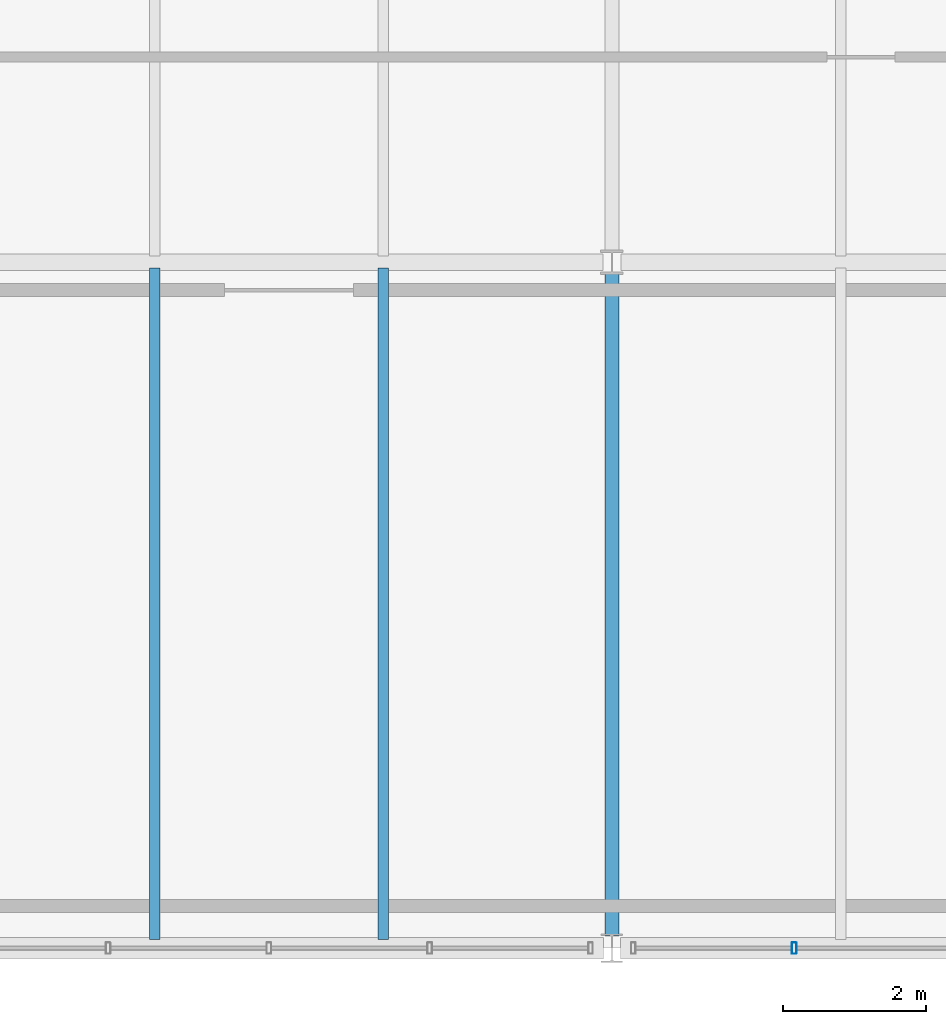
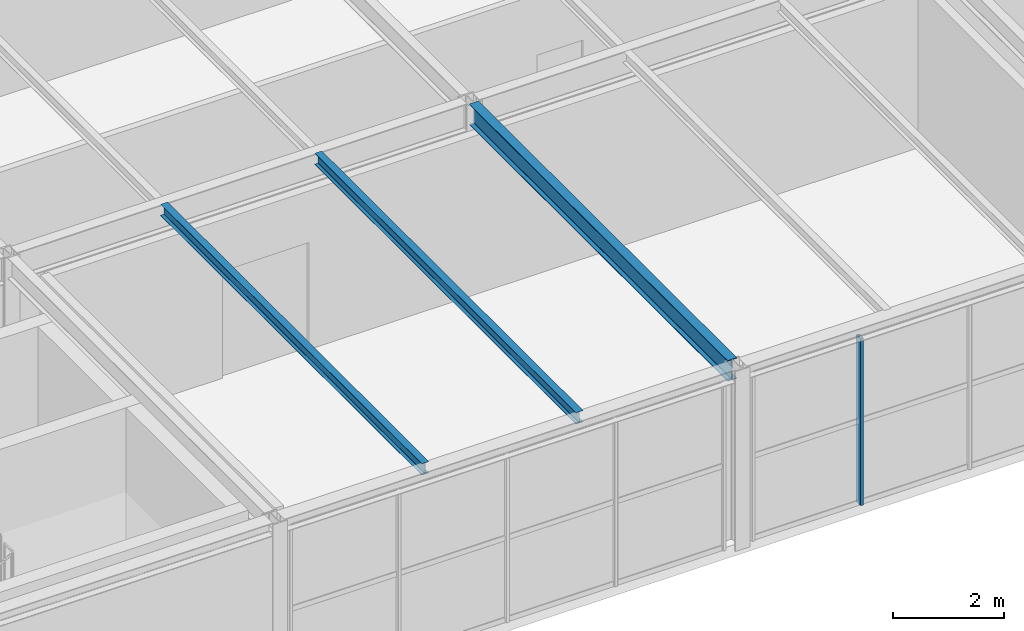
# One storey, part 24 of 126: 3 beams, 1 member, 1 element without a shape of its own.
"""IFC4 building model written with IfcOpenShell, lengths in metres."""

from ifc_helpers import new_model, si_unit, direction, frame, origin, origin_2d, place, context, subcontext, project, spatial, hollow_rectangle, i_section, extrude, material, material_profile, profile_set, type_object, element, aggregate, save


model = new_model("IFC4")

# Units and contexts
model_context = context("Model", 3, precision=1e-05, world=origin(), true_north=direction((0.0, 1.0)))
body_context = subcontext(model_context, "Body", "Model", "MODEL_VIEW")
ifc_project = project(units=[si_unit("LENGTHUNIT", "METRE"), si_unit("AREAUNIT", "SQUARE_METRE"), si_unit("VOLUMEUNIT", "CUBIC_METRE"), si_unit("PLANEANGLEUNIT", "RADIAN"), si_unit("MASSUNIT", "GRAM", prefix="KILO")], contexts=[model_context])

# Site, building, storey
site_placement = place(None, origin())
site = spatial("IfcSite", under=ifc_project, at=site_placement, CompositionType="ELEMENT")
building_placement = place(site_placement, origin())
building = spatial("IfcBuilding", under=site, at=building_placement, Name="Coralgate Yard Interchange", CompositionType="ELEMENT")
storey_placement = place(building_placement, frame((0.0, 0.0, 10.5)))
storey = spatial("IfcBuildingStorey", under=building, at=storey_placement, Name="L02", CompositionType="ELEMENT", Elevation=10.5)

# Beams
ifc_material_1 = material(Name="Structural steel S355J2", Category="steel")
ifc_material_profile_1 = material_profile(ifc_material_1, i_section(OverallWidth=0.1904296875, OverallDepth=0.45703125, WebThickness=0.009033203125, FlangeThickness=0.014404296875, FilletRadius=0.01025390625, at=origin_2d()), Name="UB 457x191x74")
ifc_profile_set_1 = profile_set([ifc_material_profile_1], Name="Structural steel S355J2")
beam_type_1 = type_object("IfcBeamType", Name="BM-SB-2", PredefinedType="BEAM", material=ifc_profile_set_1)
beam_placement = place(storey_placement, frame((38.39990234375, 0.169921875, 3.721435546875), z_axis=(0.0, 1.0, 0.0), x_axis=(-1.0, 0.0, 0.0)))
element("IfcBeam", 1, at=beam_placement, inside=storey, type_object=beam_type_1, Name="L02 primary grid girder X4 Y0-1", PredefinedType="BEAM", context=body_context, shape_type="SweptSolid", body=[
    extrude(i_section(OverallWidth=0.1904296875, OverallDepth=0.45703125, WebThickness=0.009033203125, FlangeThickness=0.014404296875, FilletRadius=0.01025390625, at=origin_2d()), origin(), (0.0, 0.0, 1.0), 9.2900390625),
])
ifc_material_profile_2 = material_profile(ifc_material_1, i_section(OverallWidth=0.14599609375, OverallDepth=0.25146484375, WebThickness=0.006103515625, FlangeThickness=0.008544921875, FilletRadius=0.007568359375, at=origin_2d()), Name="UB 254x146x31")
ifc_profile_set_2 = profile_set([ifc_material_profile_2], Name="Structural steel S355J2")
beam_type_2 = type_object("IfcBeamType", Name="BM-SJ-2", PredefinedType="JOIST", material=ifc_profile_set_2)
for number, where, z_axis, x_axis, name in (
    (2, (32.0, 0.1201171875, 3.82421875), (0.0, 1.0, 0.0), (-1.0, 0.0, 0.0), "L02 composite floor joist 3-0-1"),
    (3, (35.199951171875, 0.1201171875, 3.82421875), (0.0, 1.0, 0.0), (-1.0, 0.0, 0.0), "L02 composite floor joist 3-0-2"),
):
    element("IfcBeam", number, at=place(storey_placement, frame(where, z_axis=z_axis, x_axis=x_axis)), inside=storey, type_object=beam_type_2, Name=name, PredefinedType="JOIST", context=body_context, shape_type="SweptSolid", body=[
        extrude(i_section(OverallWidth=0.14599609375, OverallDepth=0.25146484375, WebThickness=0.006103515625, FlangeThickness=0.008544921875, FilletRadius=0.007568359375, at=origin_2d()), origin(), (0.0, 0.0, 1.0), 9.395751953125),
    ])

# Curtain wall, member
ifc_material_2 = material(Name="Anodised coastal aluminium and solar-control low-E glass", Category="aluminium")
curtain_wall_type = type_object("IfcCurtainWallType", Name="CW-CW-L02-A", PredefinedType="NOTDEFINED", material=ifc_material_2)
curtain_wall_placement = place(storey_placement, origin())
curtain_wall = element("IfcCurtainWall", 4, at=curtain_wall_placement, inside=storey, type_object=curtain_wall_type, Name="L02 unitised curtain wall CW-L02-S-04-00", PredefinedType="NOTDEFINED")
ifc_material_3 = material(Name="Anodised coastal aluminium 6063-T6", Category="aluminium")
ifc_material_profile_3 = material_profile(ifc_material_3, hollow_rectangle(XDim=0.06494140625, YDim=0.159912109375, WallThickness=0.00390625, InnerFilletRadius=0.00390625, OuterFilletRadius=0.008056640625, at=origin_2d()), Name="ALU 65x160x4")
ifc_profile_set_3 = profile_set([ifc_material_profile_3], Name="Anodised coastal aluminium 6063-T6")
member_type = type_object("IfcMemberType", Name="MB-MUL-160", PredefinedType="MULLION", material=ifc_profile_set_3)
member_placement = place(storey_placement, frame((40.949951171875, 0.0, 0.0), z_axis=(0.0, 0.0, 1.0), x_axis=(1.0, 0.0, 0.0)))
member = element("IfcMember", 5, at=member_placement, type_object=member_type, Name="CW-L02-S-04-00 vertical mullion 4", PredefinedType="MULLION", context=body_context, shape_type="SweptSolid", body=[
    extrude(hollow_rectangle(XDim=0.06494140625, YDim=0.159912109375, WallThickness=0.00390625, InnerFilletRadius=0.00390625, OuterFilletRadius=0.008056640625, at=origin_2d()), origin(), (0.0, 0.0, 1.0), 3.659912109375),
])
aggregate(curtain_wall, [member])

save(model, "model.ifc")
